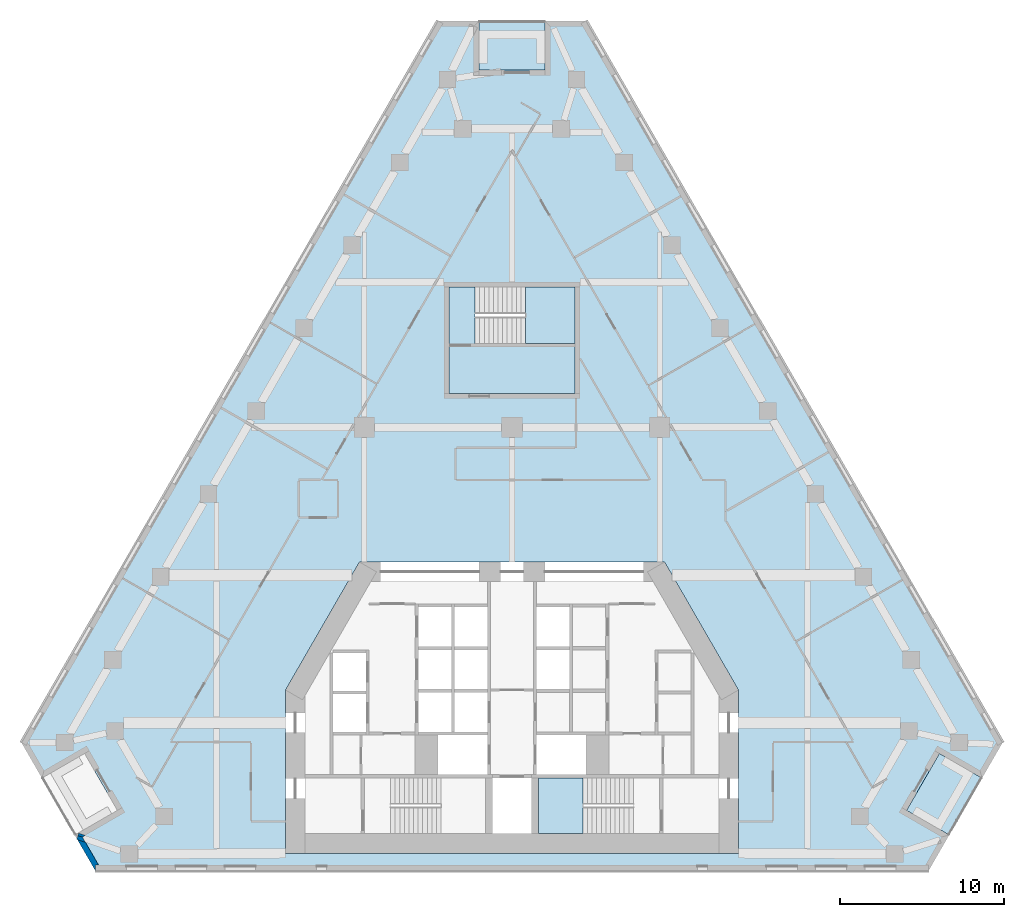
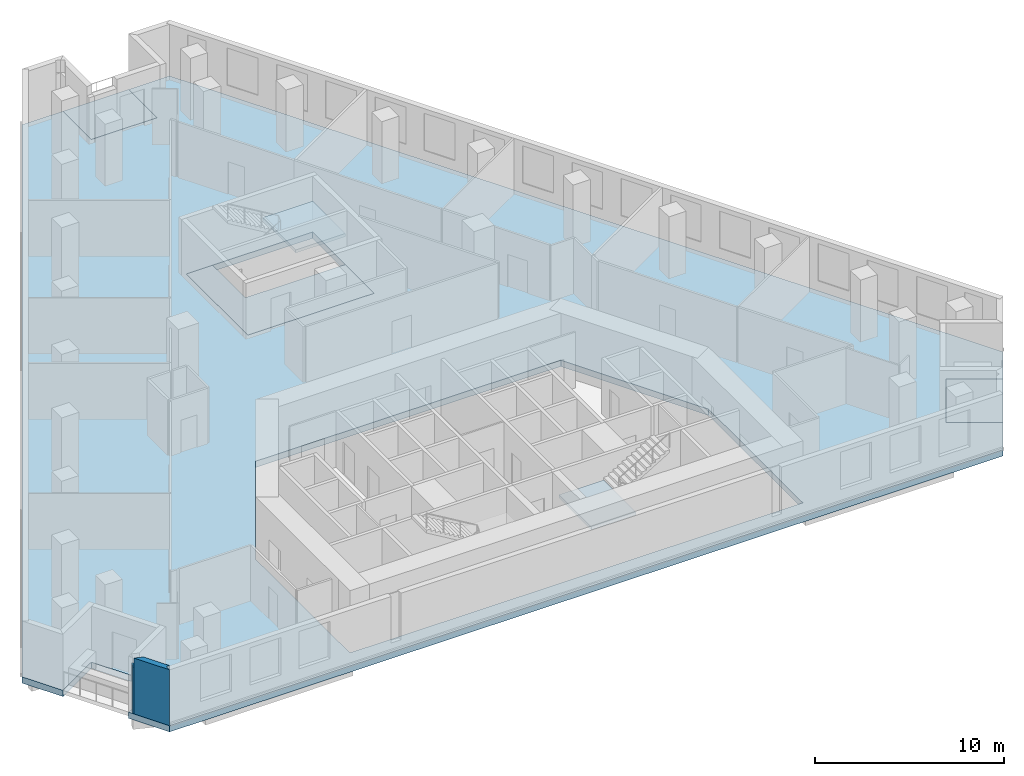
# One storey, part 2 of 10: 6 slabs, 3 walls, 2 elements without a shape of their own.
"""IFC4 building model written with IfcOpenShell, lengths in metres."""

from ifc_helpers import new_model, si_unit, direction, frame, origin, place, context, subcontext, project, spatial, polyline, outline, extrude, material, layer, layer_set, type_object, element, aggregate, save


model = new_model("IFC4")

# Units and contexts
model_context = context("Model", 3, precision=1e-05, world=origin(), true_north=direction((0.0, 1.0)))
body_context = subcontext(model_context, "Body", "Model", "MODEL_VIEW")
ifc_project = project(units=[si_unit("LENGTHUNIT", "METRE"), si_unit("AREAUNIT", "SQUARE_METRE"), si_unit("VOLUMEUNIT", "CUBIC_METRE"), si_unit("PLANEANGLEUNIT", "RADIAN"), si_unit("MASSUNIT", "GRAM", prefix="KILO")], contexts=[model_context])

# Site, building, storey
site_placement = place(None, origin())
site = spatial("IfcSite", under=ifc_project, at=site_placement, CompositionType="ELEMENT")
building_placement = place(site_placement, origin())
building = spatial("IfcBuilding", under=site, at=building_placement, Name="Fogline Exchange Tower", CompositionType="ELEMENT")
storey_placement = place(building_placement, frame((0.0, 0.0, 128.10009765625)))
storey = spatial("IfcBuildingStorey", under=building, at=storey_placement, Name="L28", CompositionType="ELEMENT", Elevation=128.10009765625)

# Slabs
ifc_material_1 = material(Name="Concrete C40", Category="concrete")
ifc_layer_1 = layer(ifc_material_1, 0.25)
ifc_layer_set_1 = layer_set([ifc_layer_1], Name="DK1")
slab_type_1 = type_object("IfcSlabType", Name="DK1", PredefinedType="FLOOR", material=ifc_layer_set_1)
slab_1_placement = place(storey_placement, frame((0.0, 0.0, -0.25)))
element("IfcSlab", 1, at=slab_1_placement, inside=storey, type_object=slab_type_1, Name="Balcony L28 SE", PredefinedType="FLOOR", context=body_context, shape_type="SweptSolid", body=[
    extrude(outline(polyline([(26.643310546875, 2.1650390625), (28.643310546875, 5.629150390625), (26.045166015625, 7.129150390625), (24.045166015625, 3.6650390625), (26.643310546875, 2.1650390625)])), origin(), (0.0, 0.0, 1.0), 0.25),
])
slab_2_placement = place(storey_placement, frame((0.0, 0.0, -0.25)))
element("IfcSlab", 2, at=slab_2_placement, inside=storey, type_object=slab_type_1, Name="Balcony L28 N", PredefinedType="FLOOR", context=body_context, shape_type="SweptSolid", body=[
    extrude(outline(polyline([(2.0, 51.776611328125), (-2.0, 51.776611328125), (-2.0, 48.776611328125), (2.0, 48.776611328125), (2.0, 51.776611328125)])), origin(), (0.0, 0.0, 1.0), 0.25),
])
ifc_layer_2 = layer(ifc_material_1, 0.39990234375)
ifc_layer_set_2 = layer_set([ifc_layer_2], Name="S03")
slab_type_2 = type_object("IfcSlabType", Name="S03", PredefinedType="FLOOR", material=ifc_layer_set_2)
slab_3_placement = place(storey_placement, frame((0.0, 0.0, -0.400146484375)))
element("IfcSlab", 3, at=slab_3_placement, inside=storey, type_object=slab_type_2, Name="SLAB L28", PredefinedType="FLOOR", context=body_context, shape_type="SweptSolid", body=[
    extrude(outline(polyline([(-2.0, 51.776611328125), (-4.5, 51.776611328125), (-29.893310546875, 7.794189453125), (-28.643310546875, 5.629150390625), (-26.045166015625, 7.129150390625), (-24.045166015625, 3.6650390625), (-26.643310546875, 2.1650390625), (-25.393310546875, 0.0), (25.393310546875, 0.0), (26.643310546875, 2.1650390625), (24.045166015625, 3.6650390625), (26.045166015625, 7.129150390625), (28.643310546875, 5.629150390625), (29.893310546875, 7.794189453125), (4.5, 51.776611328125), (2.0, 51.776611328125), (2.0, 48.776611328125), (-2.0, 48.776611328125), (-2.0, 51.776611328125)]), holes=[polyline([(13.800048828125, 10.9990234375), (13.800048828125, 1.050048828125), (-13.800048828125, 1.050048828125), (-13.800048828125, 10.9990234375), (-9.296142578125, 18.800048828125), (9.296142578125, 18.800048828125), (13.800048828125, 10.9990234375)]), polyline([(3.85009765625, 35.556884765625), (3.85009765625, 29.056884765625), (-3.85009765625, 29.056884765625), (-3.85009765625, 35.556884765625), (3.85009765625, 35.556884765625)])]), origin(), (0.0, 0.0, 1.0), 0.400146484375),
])
slab_4_placement = place(storey_placement, frame((0.0, 0.0, -0.400146484375)))
element("IfcSlab", 4, at=slab_4_placement, inside=storey, type_object=slab_type_2, Name="Stair enclosure floor slab", PredefinedType="FLOOR", context=body_context, shape_type="SweptSolid", body=[
    extrude(outline(polyline([(3.85009765625, 29.056884765625), (-3.85009765625, 29.056884765625), (-3.85009765625, 35.556884765625), (-2.239990234375, 35.556884765625), (-2.239990234375, 32.10693359375), (3.85009765625, 32.10693359375), (3.85009765625, 29.056884765625)])), origin(), (0.0, 0.0, 1.0), 0.400146484375),
])

# Stair, slab
stair_type = type_object("IfcStairType", Name="STR24-1667", PredefinedType="HALF_TURN_STAIR", material=ifc_material_1)
stair_1_placement = place(storey_placement, origin())
stair_1 = element("IfcStair", 5, at=stair_1_placement, inside=storey, type_object=stair_type, Name="Stair ST2", PredefinedType="HALF_TURN_STAIR")
ifc_layer_3 = layer(ifc_material_1, 0.199951171875)
ifc_layer_set_3 = layer_set([ifc_layer_3], Name="SL200")
slab_type_3 = type_object("IfcSlabType", Name="SL200", PredefinedType="LANDING", material=ifc_layer_set_3)
slab_5_placement = place(storey_placement, frame((0.0, 0.0, 1.7998046875)))
slab_5 = element("IfcSlab", 6, at=slab_5_placement, type_object=slab_type_3, Name="ST2 landing 1", PredefinedType="LANDING", context=body_context, shape_type="SweptSolid", body=[
    extrude(outline(polyline([(1.60009765625, 2.25), (4.320068359375, 2.25), (4.320068359375, 5.64990234375), (1.60009765625, 5.64990234375), (1.60009765625, 2.25)])), origin(), (0.0, 0.0, 1.0), 0.2001953125),
])
aggregate(stair_1, [slab_5])

stair_2_placement = place(storey_placement, origin())
stair_2 = element("IfcStair", 7, at=stair_2_placement, inside=storey, type_object=stair_type, Name="Stair ST3", PredefinedType="HALF_TURN_STAIR")
slab_6_placement = place(storey_placement, frame((0.0, 0.0, 1.7998046875)))
slab_6 = element("IfcSlab", 8, at=slab_6_placement, type_object=slab_type_3, Name="ST3 landing 1", PredefinedType="LANDING", context=body_context, shape_type="SweptSolid", body=[
    extrude(outline(polyline([(0.830078125, 32.10693359375), (3.85009765625, 32.10693359375), (3.85009765625, 35.556884765625), (0.830078125, 35.556884765625), (0.830078125, 32.10693359375)])), origin(), (0.0, 0.0, 1.0), 0.2001953125),
])
aggregate(stair_2, [slab_6])

# Walls
ifc_material_2 = material(Name="Brick masonry", Category="masonry")
ifc_layer_4 = layer(ifc_material_2, 0.340087890625)
ifc_layer_set_4 = layer_set([ifc_layer_4], Name="FW1")
wall_type = type_object("IfcWallType", Name="FW1", PredefinedType="SOLIDWALL", material=ifc_layer_set_4)
wall_1_placement = place(storey_placement, origin())
element("IfcWall", 9, at=wall_1_placement, inside=storey, type_object=wall_type, Name="Brick wall L28 SW-s2", PredefinedType="SOLIDWALL", context=body_context, shape_type="SweptSolid", body=[
    extrude(outline(polyline([(-26.1787109375, 2.0400390625), (-26.458984375, 2.114990234375), (-26.402587890625, 2.277587890625), (-26.005615234375, 2.139892578125), (-26.1787109375, 2.0400390625)])), origin(), (0.0, 0.0, 1.0), 3.0),
])
wall_2_placement = place(storey_placement, origin())
element("IfcWall", 10, at=wall_2_placement, inside=storey, type_object=wall_type, Name="Brick wall L28 SW-c2", PredefinedType="SOLIDWALL", context=body_context, shape_type="SweptSolid", body=[
    extrude(outline(polyline([(-26.517578125, 1.946044921875), (-26.45849609375, 2.1162109375), (-26.178466796875, 2.041015625), (-25.987548828125, 1.71044921875), (-26.47998046875, 1.881103515625), (-26.517578125, 1.946044921875)])), origin(), (0.0, 0.0, 1.0), 3.0),
])
wall_3_placement = place(storey_placement, origin())
element("IfcWall", 11, at=wall_3_placement, inside=storey, type_object=wall_type, Name="Brick wall L28 SW-c2", PredefinedType="SOLIDWALL", context=body_context, shape_type="SweptSolid", body=[
    extrude(outline(polyline([(-25.392578125, 0.33935546875), (-25.392578125, -0.0009765625), (-25.393310546875, -0.001220703125), (-26.47998046875, 1.881103515625), (-25.987548828125, 1.71044921875), (-25.196044921875, 0.33935546875), (-25.392578125, 0.33935546875)])), origin(), (0.0, 0.0, 1.0), 3.599853515625),
])

save(model, "model.ifc")
